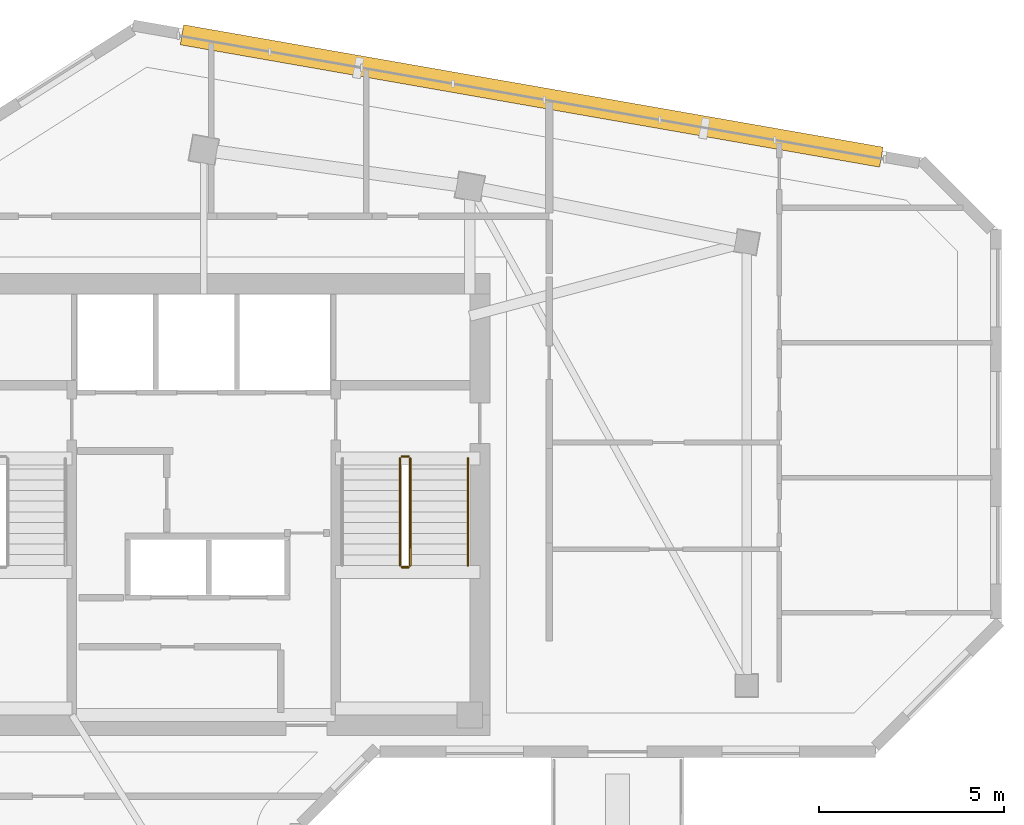
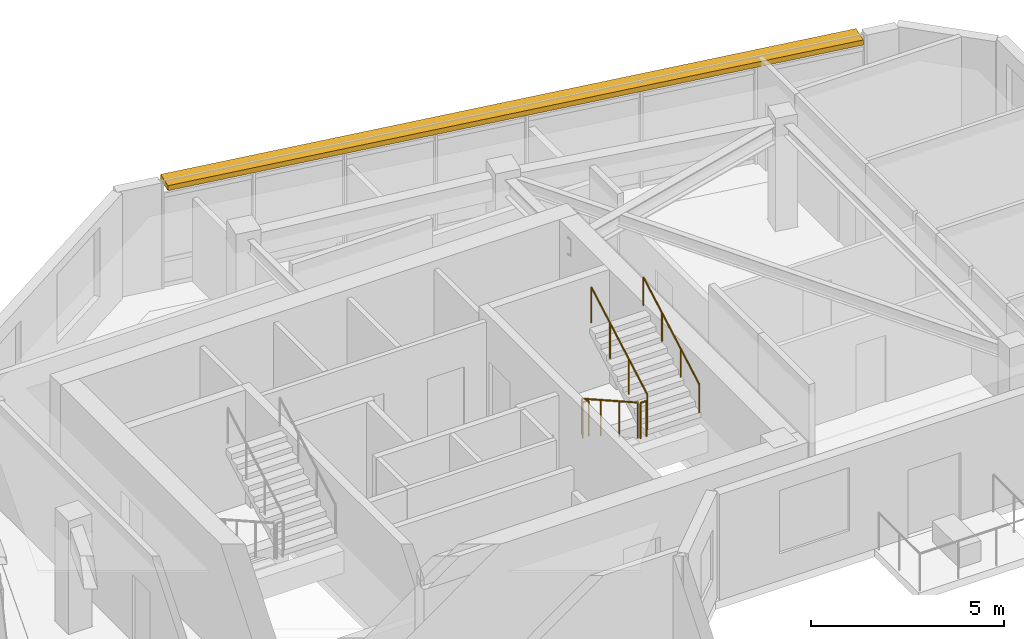
# One storey, part 9 of 9: 5 railings, 1 shading device.
"""IFC4 building model written with IfcOpenShell, lengths in metres."""

from ifc_helpers import new_model, si_unit, direction, frame, frame_2d, origin, origin_2d, place, context, subcontext, project, spatial, rectangle, circle, extrude, material, type_object, element, save


model = new_model("IFC4")

# Units and contexts
model_context = context("Model", 3, precision=1e-05, world=origin(), true_north=direction((0.0, 1.0)))
body_context = subcontext(model_context, "Body", "Model", "MODEL_VIEW")
ifc_project = project(units=[si_unit("LENGTHUNIT", "METRE"), si_unit("AREAUNIT", "SQUARE_METRE"), si_unit("VOLUMEUNIT", "CUBIC_METRE"), si_unit("PLANEANGLEUNIT", "RADIAN"), si_unit("MASSUNIT", "GRAM", prefix="KILO")], contexts=[model_context])

# Site, building, storey
site_placement = place(None, origin())
site = spatial("IfcSite", under=ifc_project, at=site_placement, CompositionType="ELEMENT")
building_placement = place(site_placement, origin())
building = spatial("IfcBuilding", under=site, at=building_placement, Name="Calvemar Wedge Station Tower", CompositionType="ELEMENT")
storey_placement = place(building_placement, frame((0.0, 0.0, 270.89990234375)))
storey = spatial("IfcBuildingStorey", under=building, at=storey_placement, Name="L69", CompositionType="ELEMENT", Elevation=270.89990234375)

# Railings
ifc_material_1 = material(Name="Stainless steel AISI 316L", Category="steel")
railing_type_1 = type_object("IfcRailingType", Name="RL-HANDRAIL-920", PredefinedType="HANDRAIL", material=ifc_material_1)
railing_1_placement = place(storey_placement, frame((30.949951171875, 38.25, 1.963623046875)))
element("IfcRailing", 1, at=railing_1_placement, inside=storey, type_object=railing_type_1, Name="L69 ST-C2 stair handrail 2", PredefinedType="HANDRAIL", context=body_context, shape_type="SweptSolid", body=[
    extrude(circle(Radius=0.02392578125, at=origin_2d()), frame((0.0, 0.0, 0.89599609375), z_axis=(0.0, 0.870897200241, 0.491465224214), x_axis=(-1.0, 0.0, 0.0)), (0.0, 0.0, 1.0), 3.329833984375),
    extrude(circle(Radius=0.02099609375, at=origin_2d()), origin(), (0.0, 0.0, 1.0), 0.871826171875),
    extrude(circle(Radius=0.02099609375, at=origin_2d()), frame((0.0, 0.966552734375, 0.54541015625)), (0.0, 0.0, 1.0), 0.871826171875),
    extrude(circle(Radius=0.02099609375, at=origin_2d()), frame((0.0, 1.933349609375, 1.091064453125)), (0.0, 0.0, 1.0), 0.871826171875),
    extrude(circle(Radius=0.02099609375, at=origin_2d()), frame((0.0, 2.89990234375, 1.636474609375)), (0.0, 0.0, 1.0), 0.871826171875),
])
ifc_material_2 = material(Name="Painted steel guardrail ASTM A500 Grade C", Category="steel")
railing_type_2 = type_object("IfcRailingType", Name="RL-STAIR-GUARD-1150", PredefinedType="GUARDRAIL", material=ifc_material_2)
railing_2_placement = place(storey_placement, frame((29.110107421875, 41.14990234375, 0.163818359375)))
element("IfcRailing", 2, at=railing_2_placement, inside=storey, type_object=railing_type_2, Name="L69 ST-C2 stair guard 1", PredefinedType="GUARDRAIL", context=body_context, shape_type="SweptSolid", body=[
    extrude(circle(Radius=0.02392578125, at=origin_2d()), frame((0.0, 0.0, 1.1259765625), z_axis=(0.0, -0.870928581787, 0.491409610636), x_axis=(1.0, 0.0, 0.0)), (0.0, 0.0, 1.0), 3.32958984375),
    extrude(circle(Radius=0.02099609375, at=origin_2d()), origin(), (0.0, 0.0, 1.0), 1.101806640625),
    extrude(circle(Radius=0.02099609375, at=origin_2d()), frame((0.0, -0.966552734375, 0.54541015625)), (0.0, 0.0, 1.0), 1.101806640625),
    extrude(circle(Radius=0.02099609375, at=origin_2d()), frame((0.0, -1.933349609375, 1.0908203125)), (0.0, 0.0, 1.0), 1.101806640625),
    extrude(circle(Radius=0.02099609375, at=origin_2d()), frame((0.0, -2.89990234375, 1.63623046875)), (0.0, 0.0, 1.0), 1.101806640625),
])
railing_3_placement = place(storey_placement, frame((29.159912109375, 38.199951171875, 1.800048828125)))
element("IfcRailing", 3, at=railing_3_placement, inside=storey, type_object=railing_type_2, Name="L69 ST-C2 stair guard 2", PredefinedType="GUARDRAIL", context=body_context, shape_type="SweptSolid", body=[
    extrude(circle(Radius=0.02392578125, at=origin_2d()), frame((0.0, 0.0, 1.1259765625), z_axis=(1.0, 0.0, 0.0), x_axis=(0.0, 1.0, 0.0)), (0.0, 0.0, 1.0), 0.18017578125),
    extrude(circle(Radius=0.02099609375, at=origin_2d()), origin(), (0.0, 0.0, 1.0), 1.101806640625),
    extrude(circle(Radius=0.02099609375, at=origin_2d()), frame((0.18017578125, 0.0, 0.0)), (0.0, 0.0, 1.0), 1.101806640625),
])
railing_4_placement = place(storey_placement, frame((29.389892578125, 38.25, 1.963623046875)))
element("IfcRailing", 4, at=railing_4_placement, inside=storey, type_object=railing_type_2, Name="L69 ST-C2 stair guard 3", PredefinedType="GUARDRAIL", context=body_context, shape_type="SweptSolid", body=[
    extrude(circle(Radius=0.02392578125, at=origin_2d()), frame((0.0, 0.0, 1.1259765625), z_axis=(0.0, 0.870897200241, 0.491465224214), x_axis=(-1.0, 0.0, 0.0)), (0.0, 0.0, 1.0), 3.329833984375),
    extrude(circle(Radius=0.02099609375, at=origin_2d()), origin(), (0.0, 0.0, 1.0), 1.101806640625),
    extrude(circle(Radius=0.02099609375, at=origin_2d()), frame((0.0, 0.966552734375, 0.54541015625)), (0.0, 0.0, 1.0), 1.101806640625),
    extrude(circle(Radius=0.02099609375, at=origin_2d()), frame((0.0, 1.933349609375, 1.091064453125)), (0.0, 0.0, 1.0), 1.101806640625),
    extrude(circle(Radius=0.02099609375, at=origin_2d()), frame((0.0, 2.89990234375, 1.636474609375)), (0.0, 0.0, 1.0), 1.101806640625),
])
railing_5_placement = place(storey_placement, frame((29.159912109375, 41.199951171875, 0.0)))
element("IfcRailing", 5, at=railing_5_placement, inside=storey, type_object=railing_type_2, Name="L69 ST-C2 stair guard 4", PredefinedType="GUARDRAIL", context=body_context, shape_type="SweptSolid", body=[
    extrude(circle(Radius=0.02392578125, at=origin_2d()), frame((0.0, 0.0, 1.1259765625), z_axis=(1.0, 0.0, 0.0), x_axis=(0.0, 1.0, 0.0)), (0.0, 0.0, 1.0), 0.18017578125),
    extrude(circle(Radius=0.02099609375, at=origin_2d()), origin(), (0.0, 0.0, 1.0), 1.101806640625),
    extrude(circle(Radius=0.02099609375, at=origin_2d()), frame((0.18017578125, 0.0, 0.0)), (0.0, 0.0, 1.0), 1.101806640625),
])

# Shading device
ifc_material_3 = material(Name="Precast concrete C45", Category="concrete")
shading_device_type = type_object("IfcShadingDeviceType", Name="SHD-EYEBROW-1", PredefinedType="SHUTTER", material=ifc_material_3)
shading_device_placement = place(storey_placement, frame((42.14208984375, 49.303466796875, 3.170166015625), z_axis=(0.0, 0.0, 1.0), x_axis=(-0.985037745923, 0.172338733625, 0.0)))
element("IfcShadingDevice", 6, at=shading_device_placement, inside=storey, type_object=shading_device_type, Name="Storey L69 Bronze GFRC Solar Eyebrow 10", PredefinedType="SHUTTER", context=body_context, shape_type="SweptSolid", body=[
    extrude(rectangle(XDim=19.219482421875, YDim=0.550048828125, at=frame_2d((9.60986328125, 0.0))), origin(), (0.0, 0.0, 1.0), 0.159912109375),
])

save(model, "model.ifc")
